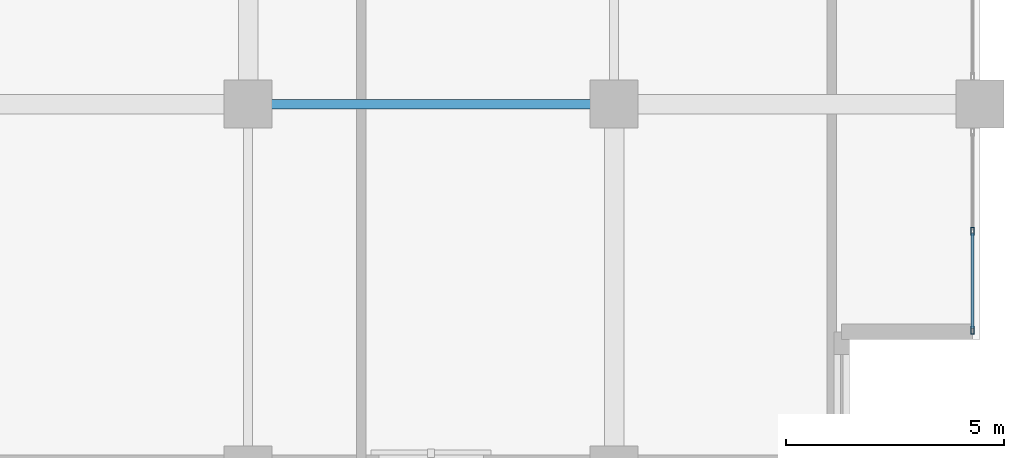
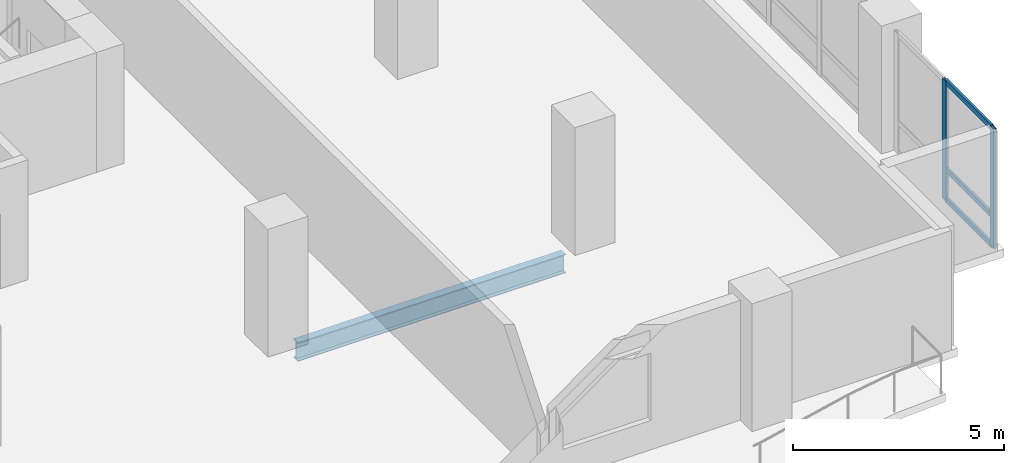
# One storey, part 3 of 22: 5 members, 1 beam, 1 element without a shape of its own.
"""IFC4 building model written with IfcOpenShell, lengths in metres."""

from ifc_helpers import new_model, si_unit, direction, frame, origin, origin_2d, place, context, subcontext, project, spatial, hollow_rectangle, i_section, extrude, material, layer, layer_set, material_profile, profile_set, type_object, element, aggregate, save


model = new_model("IFC4")

# Units and contexts
model_context = context("Model", 3, precision=1e-05, world=origin(), true_north=direction((0.0, 1.0)))
body_context = subcontext(model_context, "Body", "Model", "MODEL_VIEW")
ifc_project = project(units=[si_unit("LENGTHUNIT", "METRE"), si_unit("AREAUNIT", "SQUARE_METRE"), si_unit("VOLUMEUNIT", "CUBIC_METRE"), si_unit("PLANEANGLEUNIT", "RADIAN"), si_unit("MASSUNIT", "GRAM", prefix="KILO")], contexts=[model_context])

# Site, building, storey
site_placement = place(None, origin())
site = spatial("IfcSite", under=ifc_project, at=site_placement, CompositionType="ELEMENT")
building_placement = place(site_placement, origin())
building = spatial("IfcBuilding", under=site, at=building_placement, Name="Koriwani Terraces Tower", CompositionType="ELEMENT")
storey_placement = place(building_placement, frame((0.0, 0.0, 168.0)))
storey = spatial("IfcBuildingStorey", under=building, at=storey_placement, Name="L40", CompositionType="ELEMENT", Elevation=168.0)

# Curtain wall, members
ifc_material_1 = material(Name="Anodised Bronze Aluminium", Category="aluminium")
ifc_layer = layer(ifc_material_1, 0.169921875, Name="Anodised Bronze Aluminium")
ifc_layer_set = layer_set([ifc_layer], Name="Anodised Bronze Aluminium")
curtain_wall_type = type_object("IfcCurtainWallType", Name="CW_RES_ZONE3", PredefinedType="NOTDEFINED", material=ifc_layer_set)
curtain_wall_placement = place(storey_placement, origin())
curtain_wall = element("IfcCurtainWall", 1, at=curtain_wall_placement, inside=storey, type_object=curtain_wall_type, Name="L40 Unitised Curtain Wall (E_TIP) Bay 4", PredefinedType="NOTDEFINED")
ifc_material_profile_1 = material_profile(ifc_material_1, hollow_rectangle(XDim=0.074951171875, YDim=0.179931640625, WallThickness=0.006103515625, at=origin_2d()), Name="Anodised Bronze Aluminium", Category="LoadBearing")
ifc_profile_set_1 = profile_set([ifc_material_profile_1], Name="Anodised Bronze Aluminium")
member_type_1 = type_object("IfcMemberType", Name="CW_MULLION_180X75", PredefinedType="MULLION", material=ifc_profile_set_1)
member_1_placement = place(storey_placement, frame((75.425048828125, 5.482421875, 0.0), z_axis=(0.0, 0.0, 1.0), x_axis=(1.0, 0.0, 0.0)))
member_1 = element("IfcMember", 2, at=member_1_placement, type_object=member_type_1, Name="CW-Z3 mullion 2", PredefinedType="MULLION", context=body_context, shape_type="SweptSolid", body=[
    extrude(hollow_rectangle(XDim=0.074951171875, YDim=0.179931640625, WallThickness=0.006103515625, at=origin_2d()), origin(), (0.0, 0.0, 1.0), 3.469970703125),
])
member_2_placement = place(storey_placement, frame((75.425048828125, 3.21240234375, 0.0), z_axis=(0.0, 0.0, 1.0), x_axis=(1.0, 0.0, 0.0)))
member_2 = element("IfcMember", 3, at=member_2_placement, type_object=member_type_1, Name="CW-Z3 mullion 3", PredefinedType="MULLION", context=body_context, shape_type="SweptSolid", body=[
    extrude(hollow_rectangle(XDim=0.074951171875, YDim=0.179931640625, WallThickness=0.006103515625, at=origin_2d()), origin(), (0.0, 0.0, 1.0), 3.469970703125),
])
ifc_material_profile_2 = material_profile(ifc_material_1, hollow_rectangle(XDim=0.06494140625, YDim=0.14990234375, WallThickness=0.0048828125, at=origin_2d()), Name="Anodised Bronze Aluminium", Category="LoadBearing")
ifc_profile_set_2 = profile_set([ifc_material_profile_2], Name="Anodised Bronze Aluminium")
member_type_2 = type_object("IfcMemberType", Name="CW_TRANSOM_150X65", PredefinedType="USERDEFINED", material=ifc_profile_set_2)
member_3_placement = place(storey_placement, frame((75.425048828125, 5.445068359375, 0.032470703125), z_axis=(0.0, -1.0, 0.0), x_axis=(1.0, 0.0, 0.0)))
member_3 = element("IfcMember", 4, at=member_3_placement, type_object=member_type_2, Name="CW-Z3 transom 2.1", ObjectType="TRANSOM", PredefinedType="USERDEFINED", context=body_context, shape_type="SweptSolid", body=[
    extrude(hollow_rectangle(XDim=0.06494140625, YDim=0.14990234375, WallThickness=0.0048828125, at=origin_2d()), origin(), (0.0, 0.0, 1.0), 2.195068359375),
])
member_4_placement = place(storey_placement, frame((75.425048828125, 5.445068359375, 0.89990234375), z_axis=(0.0, -1.0, 0.0), x_axis=(1.0, 0.0, 0.0)))
member_4 = element("IfcMember", 5, at=member_4_placement, type_object=member_type_2, Name="CW-Z3 transom 2.2", ObjectType="TRANSOM", PredefinedType="USERDEFINED", context=body_context, shape_type="SweptSolid", body=[
    extrude(hollow_rectangle(XDim=0.06494140625, YDim=0.14990234375, WallThickness=0.0048828125, at=origin_2d()), origin(), (0.0, 0.0, 1.0), 2.195068359375),
])
member_5_placement = place(storey_placement, frame((75.425048828125, 5.445068359375, 3.4375), z_axis=(0.0, -1.0, 0.0), x_axis=(1.0, 0.0, 0.0)))
member_5 = element("IfcMember", 6, at=member_5_placement, type_object=member_type_2, Name="CW-Z3 transom 2.3", ObjectType="TRANSOM", PredefinedType="USERDEFINED", context=body_context, shape_type="SweptSolid", body=[
    extrude(hollow_rectangle(XDim=0.06494140625, YDim=0.14990234375, WallThickness=0.0048828125, at=origin_2d()), origin(), (0.0, 0.0, 1.0), 2.195068359375),
])
aggregate(curtain_wall, [member_1, member_2, member_3, member_4, member_5])

# Beam
ifc_material_2 = material(Name="Steel ASTM A572 Grade 50", Category="steel")
ifc_material_profile_3 = material_profile(ifc_material_2, i_section(OverallWidth=0.2119140625, OverallDepth=0.54296875, WebThickness=0.0126953125, FlangeThickness=0.021240234375, at=origin_2d()), Name="Steel ASTM A572 Grade 50", Category="LoadBearing")
ifc_profile_set_3 = profile_set([ifc_material_profile_3], Name="Steel ASTM A572 Grade 50")
beam_type = type_object("IfcBeamType", Name="STEEL_BEAM_W530X150", PredefinedType="BEAM", material=ifc_profile_set_3)
beam_placement = place(storey_placement, frame((59.330078125, 8.39990234375, -0.50146484375), z_axis=(1.0, 0.0, 0.0), x_axis=(0.0, 1.0, 0.0)))
element("IfcBeam", 7, at=beam_placement, inside=storey, type_object=beam_type, Name="L40 Grid Beam B (58.8-67.2m)", PredefinedType="BEAM", context=body_context, shape_type="SweptSolid", body=[
    extrude(i_section(OverallWidth=0.2119140625, OverallDepth=0.54296875, WebThickness=0.0126953125, FlangeThickness=0.021240234375, at=origin_2d()), origin(), (0.0, 0.0, 1.0), 7.33984375),
])

save(model, "model.ifc")
